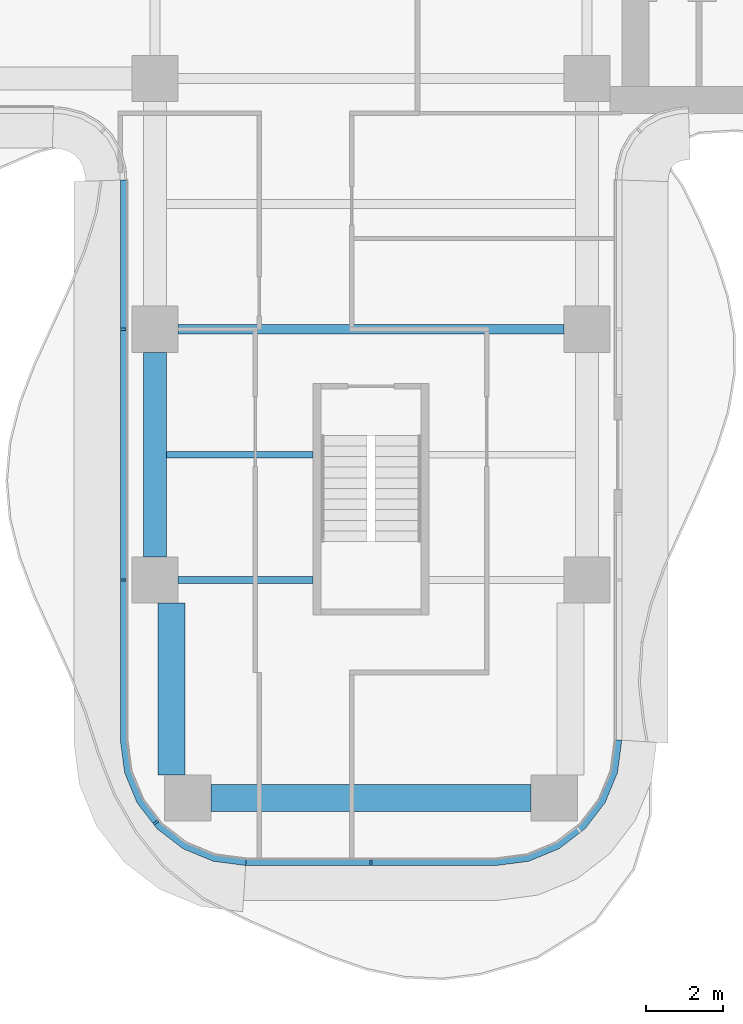
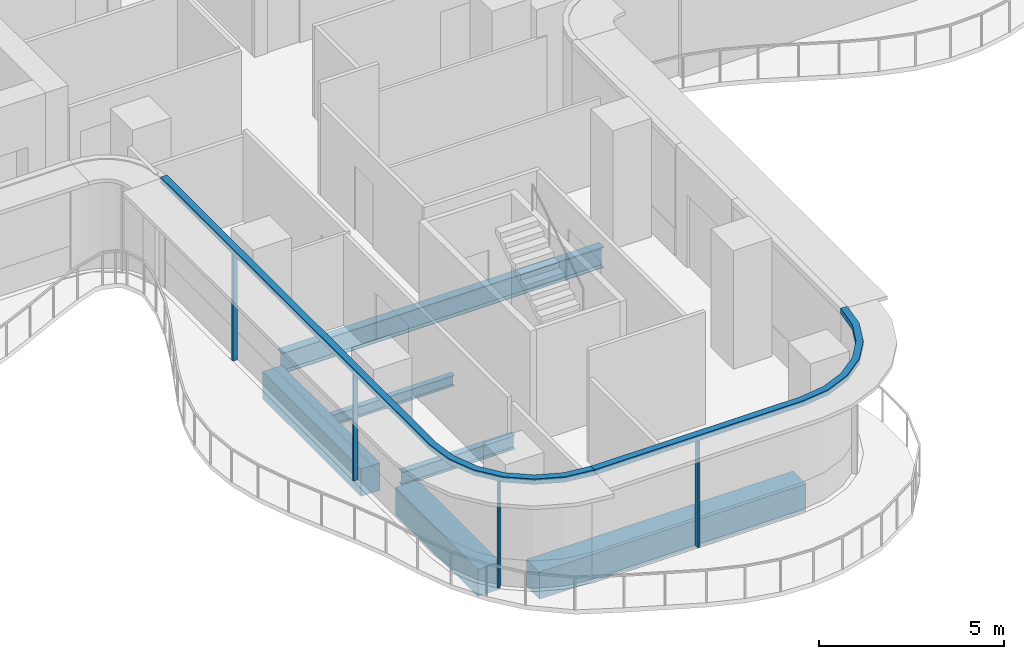
# One storey, part 2 of 17: 6 beams, 6 members, 2 elements without a shape of their own.
"""IFC4 building model written with IfcOpenShell, lengths in metres."""

from ifc_helpers import new_model, si_unit, direction, frame, origin, origin_2d, place, context, subcontext, project, spatial, polyline, rectangle, i_section, outline, extrude, source, transform, mapped, material, layer, layer_set, material_profile, profile_set, type_object, element, aggregate, save


model = new_model("IFC4")

# Units and contexts
model_context = context("Model", 3, precision=1e-05, world=origin(), true_north=direction((0.0, 1.0)))
body_context = subcontext(model_context, "Body", "Model", "MODEL_VIEW")
ifc_project = project(units=[si_unit("LENGTHUNIT", "METRE"), si_unit("AREAUNIT", "SQUARE_METRE"), si_unit("VOLUMEUNIT", "CUBIC_METRE"), si_unit("PLANEANGLEUNIT", "RADIAN"), si_unit("MASSUNIT", "GRAM", prefix="KILO")], contexts=[model_context])

# Site, building, storey
site_placement = place(None, origin())
site = spatial("IfcSite", under=ifc_project, at=site_placement, CompositionType="ELEMENT")
building_placement = place(site_placement, origin())
building = spatial("IfcBuilding", under=site, at=building_placement, Name="Trellis Farm Tower", CompositionType="ELEMENT")
storey_placement = place(building_placement, frame((0.0, 0.0, 185.39990234375)))
storey = spatial("IfcBuildingStorey", under=building, at=storey_placement, Name="L40", CompositionType="ELEMENT", Elevation=185.39990234375)

# Beams
ifc_material_1 = material(Name="Steel S355", Category="steel")
ifc_material_profile_1 = material_profile(ifc_material_1, i_section(OverallWidth=0.1904296875, OverallDepth=0.45703125, WebThickness=0.009033203125, FlangeThickness=0.014404296875, FilletRadius=0.01025390625, at=origin_2d()), Name="UB 457x191x74")
ifc_profile_set_1 = profile_set([ifc_material_profile_1], Name="Steel S355")
beam_type_1 = type_object("IfcBeamType", Name="UB 457x191x74", PredefinedType="BEAM", material=ifc_profile_set_1)
shared_shape_1 = source(origin(), body_context, "Body", "SweptSolid", [
    extrude(i_section(OverallWidth=0.1904296875, OverallDepth=0.45703125, WebThickness=0.009033203125, FlangeThickness=0.014404296875, FilletRadius=0.01025390625, at=origin_2d()), origin(), (0.0, 0.0, 1.0), 3.5),
])
beam_1_placement = place(storey_placement, frame((-5.0, -18.60009765625, -0.428466796875), z_axis=(1.0, 0.0, 0.0), x_axis=(0.0, 1.0, 0.0)))
element("IfcBeam", 1, at=beam_1_placement, inside=storey, type_object=beam_type_1, Name="Girder", PredefinedType="BEAM", context=body_context, shape_type="MappedRepresentation", body=[
    mapped(shared_shape_1, transform((0.0, 0.0, 0.0))),
])
ifc_material_2 = material(Name="Concrete C60/75", Category="concrete")
ifc_material_profile_2 = material_profile(ifc_material_2, rectangle(XDim=0.60009765625, YDim=0.89990234375, at=origin_2d()), Name="RC spandrel beam 600x900 C60/75")
ifc_profile_set_2 = profile_set([ifc_material_profile_2], Name="Concrete C60/75")
beam_type_2 = type_object("IfcBeamType", Name="RC spandrel beam 600x900 C60/75", PredefinedType="SPANDREL", material=ifc_profile_set_2)
shared_shape_2 = source(origin(), body_context, "Body", "SweptSolid", [
    extrude(rectangle(XDim=0.60009765625, YDim=0.89990234375, at=origin_2d()), origin(), (0.0, 0.0, 1.0), 5.300048828125),
])
beam_2_placement = place(storey_placement, frame((-5.60009765625, -18.0, -0.64990234375), z_axis=(0.0, 1.0, 0.0), x_axis=(-1.0, 0.0, 0.0)))
element("IfcBeam", 2, at=beam_2_placement, inside=storey, type_object=beam_type_2, Name="Girder", PredefinedType="SPANDREL", context=body_context, shape_type="MappedRepresentation", body=[
    mapped(shared_shape_2, transform((0.0, 0.0, 0.0))),
])
ifc_material_profile_3 = material_profile(ifc_material_1, i_section(OverallWidth=0.253662109375, OverallDepth=0.68359375, WebThickness=0.012451171875, FlangeThickness=0.021728515625, FilletRadius=0.01513671875, at=origin_2d()), Name="UB 686x254x140")
ifc_profile_set_3 = profile_set([ifc_material_profile_3], Name="Steel S355")
beam_type_3 = type_object("IfcBeamType", Name="UB 686x254x140", PredefinedType="BEAM", material=ifc_profile_set_3)
shared_shape_3 = source(origin(), body_context, "Body", "SweptSolid", [
    extrude(i_section(OverallWidth=0.253662109375, OverallDepth=0.68359375, WebThickness=0.012451171875, FlangeThickness=0.021728515625, FilletRadius=0.01513671875, at=origin_2d()), origin(), (0.0, 0.0, 1.0), 10.0),
])
beam_3_placement = place(storey_placement, frame((-5.0, -12.10009765625, -0.54150390625), z_axis=(1.0, 0.0, 0.0), x_axis=(0.0, 1.0, 0.0)))
element("IfcBeam", 3, at=beam_3_placement, inside=storey, type_object=beam_type_3, Name="Girder", PredefinedType="BEAM", context=body_context, shape_type="MappedRepresentation", body=[
    mapped(shared_shape_3, transform((0.0, 0.0, 0.0))),
])
ifc_material_profile_4 = material_profile(ifc_material_2, rectangle(XDim=0.699951171875, YDim=0.89990234375, at=origin_2d()), Name="RC spandrel beam 700x900 C60/75")
ifc_profile_set_4 = profile_set([ifc_material_profile_4], Name="Concrete C60/75")
beam_type_4 = type_object("IfcBeamType", Name="RC spandrel beam 700x900 C60/75", PredefinedType="SPANDREL", material=ifc_profile_set_4)
shared_shape_4 = source(origin(), body_context, "Body", "SweptSolid", [
    extrude(rectangle(XDim=0.699951171875, YDim=0.89990234375, at=origin_2d()), origin(), (0.0, 0.0, 1.0), 8.2998046875),
])
beam_4_placement = place(storey_placement, frame((-4.14990234375, -24.25, -0.64990234375), z_axis=(1.0, 0.0, 0.0), x_axis=(0.0, 1.0, 0.0)))
element("IfcBeam", 4, at=beam_4_placement, inside=storey, type_object=beam_type_4, Name="Girder", PredefinedType="SPANDREL", context=body_context, shape_type="MappedRepresentation", body=[
    mapped(shared_shape_4, transform((0.0, 0.0, 0.0))),
])
shared_shape_5 = source(origin(), body_context, "Body", "SweptSolid", [
    extrude(rectangle(XDim=0.699951171875, YDim=0.89990234375, at=origin_2d()), origin(), (0.0, 0.0, 1.0), 4.449951171875),
])
beam_5_placement = place(storey_placement, frame((-5.175048828125, -23.64990234375, -0.64990234375), z_axis=(0.0, 1.0, 0.0), x_axis=(-1.0, 0.0, 0.0)))
element("IfcBeam", 5, at=beam_5_placement, inside=storey, type_object=beam_type_4, Name="Girder", PredefinedType="SPANDREL", context=body_context, shape_type="MappedRepresentation", body=[
    mapped(shared_shape_5, transform((0.0, 0.0, 0.0))),
])
ifc_material_profile_5 = material_profile(ifc_material_1, i_section(OverallWidth=0.17138671875, OverallDepth=0.35498046875, WebThickness=0.00732421875, FlangeThickness=0.011474609375, FilletRadius=0.01025390625, at=origin_2d()), Name="UB 356x171x51")
ifc_profile_set_5 = profile_set([ifc_material_profile_5], Name="Steel S355")
beam_type_5 = type_object("IfcBeamType", Name="UB 356x171x51 joist", PredefinedType="JOIST", material=ifc_profile_set_5)
shared_shape_6 = source(origin(), body_context, "Body", "SweptSolid", [
    extrude(i_section(OverallWidth=0.17138671875, OverallDepth=0.35498046875, WebThickness=0.00732421875, FlangeThickness=0.011474609375, FilletRadius=0.01025390625, at=origin_2d()), origin(), (0.0, 0.0, 1.0), 3.800048828125),
])
beam_6_placement = place(storey_placement, frame((-5.300048828125, -15.35009765625, -0.37744140625), z_axis=(1.0, 0.0, 0.0), x_axis=(0.0, 1.0, 0.0)))
element("IfcBeam", 6, at=beam_6_placement, inside=storey, type_object=beam_type_5, Name="Floor beam", PredefinedType="JOIST", context=body_context, shape_type="MappedRepresentation", body=[
    mapped(shared_shape_6, transform((0.0, 0.0, 0.0))),
])

# Curtain wall, members
ifc_material_3 = material(Name="Aluminium and glass curtain wall", Category="aluminium")
ifc_layer_1 = layer(ifc_material_3, 0.18994140625)
ifc_layer_set_1 = layer_set([ifc_layer_1], Name="RIBBON CURTAIN WALL CW1")
curtain_wall_type = type_object("IfcCurtainWallType", Name="RIBBON CURTAIN WALL CW1", PredefinedType="NOTDEFINED", material=ifc_layer_set_1)
placement_1 = place(storey_placement, origin())
curtain_wall_1 = element("IfcCurtainWall", 7, at=placement_1, inside=storey, type_object=curtain_wall_type, Name="CW1 002", PredefinedType="NOTDEFINED")
ifc_material_4 = material(Name="Aluminium extrusion 6063-T6", Category="aluminium")
ifc_material_profile_6 = material_profile(ifc_material_4, rectangle(XDim=0.06005859375, YDim=0.14990234375, at=origin_2d()), Name="MULLION 60x150")
ifc_profile_set_6 = profile_set([ifc_material_profile_6], Name="Aluminium extrusion 6063-T6")
member_type_1 = type_object("IfcMemberType", Name="CW1 MULLION 60x150", PredefinedType="MULLION", material=ifc_profile_set_6)
shared_shape_7 = source(origin(), body_context, "Body", "SweptSolid", [
    extrude(rectangle(XDim=0.06005859375, YDim=0.14990234375, at=origin_2d()), origin(), (0.0, 0.0, 1.0), 3.52001953125),
])
member_1_placement = place(storey_placement, frame((-6.425048828125, -12.10009765625, 0.0), z_axis=(0.0, 0.0, 1.0), x_axis=(0.0, -1.0, 0.0)))
member_1 = element("IfcMember", 8, at=member_1_placement, type_object=member_type_1, Name="MU1 002-01", PredefinedType="MULLION", context=body_context, shape_type="MappedRepresentation", body=[
    mapped(shared_shape_7, transform((0.0, 0.0, 0.0))),
])
member_2_placement = place(storey_placement, frame((-6.425048828125, -18.60009765625, 0.0), z_axis=(0.0, 0.0, 1.0), x_axis=(0.0, -1.0, 0.0)))
member_2 = element("IfcMember", 9, at=member_2_placement, type_object=member_type_1, Name="MU1 002-02", PredefinedType="MULLION", context=body_context, shape_type="MappedRepresentation", body=[
    mapped(shared_shape_7, transform((0.0, 0.0, 0.0))),
])
member_3_placement = place(storey_placement, frame((-5.578369140625, -24.885498046875, 0.0), z_axis=(0.0, 0.0, 1.0), x_axis=(0.608761429009, -0.793353340291, 0.0)))
member_3 = element("IfcMember", 10, at=member_3_placement, type_object=member_type_1, Name="MU1 002-03", PredefinedType="MULLION", context=body_context, shape_type="MappedRepresentation", body=[
    mapped(shared_shape_7, transform((0.0, 0.0, 0.0))),
])

# Curtain wall, member
curtain_wall_2 = element("IfcCurtainWall", 11, at=placement_1, inside=storey, type_object=curtain_wall_type, Name="CW1 003", PredefinedType="NOTDEFINED")
member_4_placement = place(storey_placement, frame((0.0, -25.925048828125, 0.0), z_axis=(0.0, 0.0, 1.0), x_axis=(1.0, 0.0, 0.0)))
member_4 = element("IfcMember", 12, at=member_4_placement, type_object=member_type_1, Name="MU1 003-01", PredefinedType="MULLION", context=body_context, shape_type="MappedRepresentation", body=[
    mapped(shared_shape_7, transform((0.0, 0.0, 0.0))),
])

# Member
ifc_layer_2 = layer(ifc_material_4, 0.199951171875)
ifc_layer_set_2 = layer_set([ifc_layer_2], Name="Aluminium extrusion 6063-T6")
member_type_2 = type_object("IfcMemberType", Name="CW1 TRANSOM 200x180", PredefinedType="USERDEFINED", material=ifc_layer_set_2)
shared_shape_8 = source(origin(), body_context, "Body", "SweptSolid", [
    extrude(outline(polyline([(-6.5, -8.2314453125), (-6.5, -22.75), (-6.38916015625, -23.591064453125), (-6.064697265625, -24.375), (-5.548095703125, -25.048095703125), (-4.875, -25.564697265625), (-4.091064453125, -25.88916015625), (-3.25, -26.0), (-3.23681640625, -25.800048828125), (-4.0390625, -25.6943359375), (-4.774169921875, -25.389892578125), (-5.405517578125, -24.905517578125), (-5.889892578125, -24.274169921875), (-6.1943359375, -23.5390625), (-6.300048828125, -22.73681640625), (-6.300048828125, -8.224853515625), (-6.5, -8.2314453125)])), origin(), (0.0, 0.0, 1.0), 0.18017578125),
])
placement_2 = place(storey_placement, frame((0.0, 0.0, 3.52001953125)))
member_5 = element("IfcMember", 13, at=placement_2, type_object=member_type_2, Name="TR1 002", ObjectType="TRANSOM", PredefinedType="USERDEFINED", context=body_context, shape_type="MappedRepresentation", body=[
    mapped(shared_shape_8, transform((0.0, 0.0, 0.0))),
])

aggregate(curtain_wall_1, [member_1, member_2, member_3, member_5])

shared_shape_9 = source(origin(), body_context, "Body", "SweptSolid", [
    extrude(outline(polyline([(-3.25, -26.0), (3.25, -26.0), (4.091064453125, -25.88916015625), (4.875, -25.564697265625), (5.548095703125, -25.048095703125), (6.064697265625, -24.375), (6.38916015625, -23.591064453125), (6.5, -22.75), (6.300048828125, -22.73681640625), (6.1943359375, -23.5390625), (5.889892578125, -24.274169921875), (5.405517578125, -24.905517578125), (4.774169921875, -25.389892578125), (4.0390625, -25.6943359375), (3.23681640625, -25.800048828125), (-3.23681640625, -25.800048828125), (-3.25, -26.0)])), origin(), (0.0, 0.0, 1.0), 0.18017578125),
])
member_6 = element("IfcMember", 14, at=placement_2, type_object=member_type_2, Name="TR1 003", ObjectType="TRANSOM", PredefinedType="USERDEFINED", context=body_context, shape_type="MappedRepresentation", body=[
    mapped(shared_shape_9, transform((0.0, 0.0, 0.0))),
])

aggregate(curtain_wall_2, [member_4, member_6])

save(model, "model.ifc")
